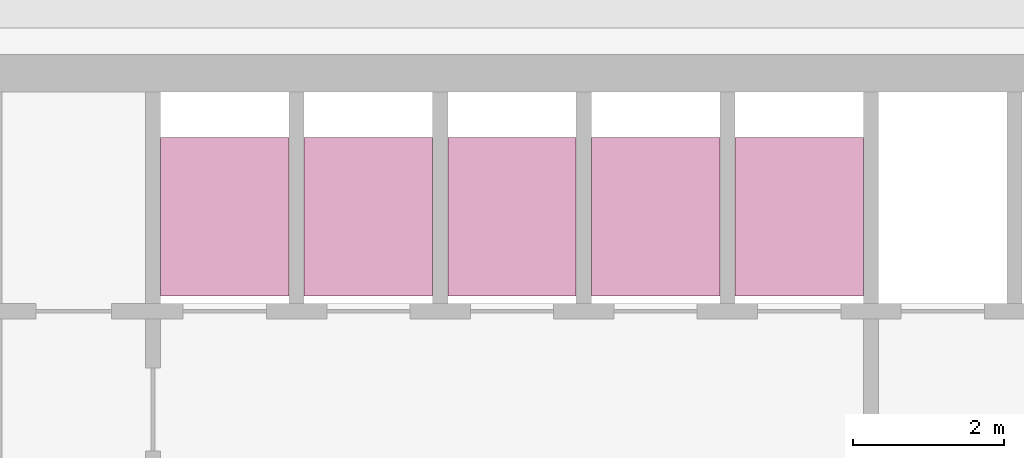
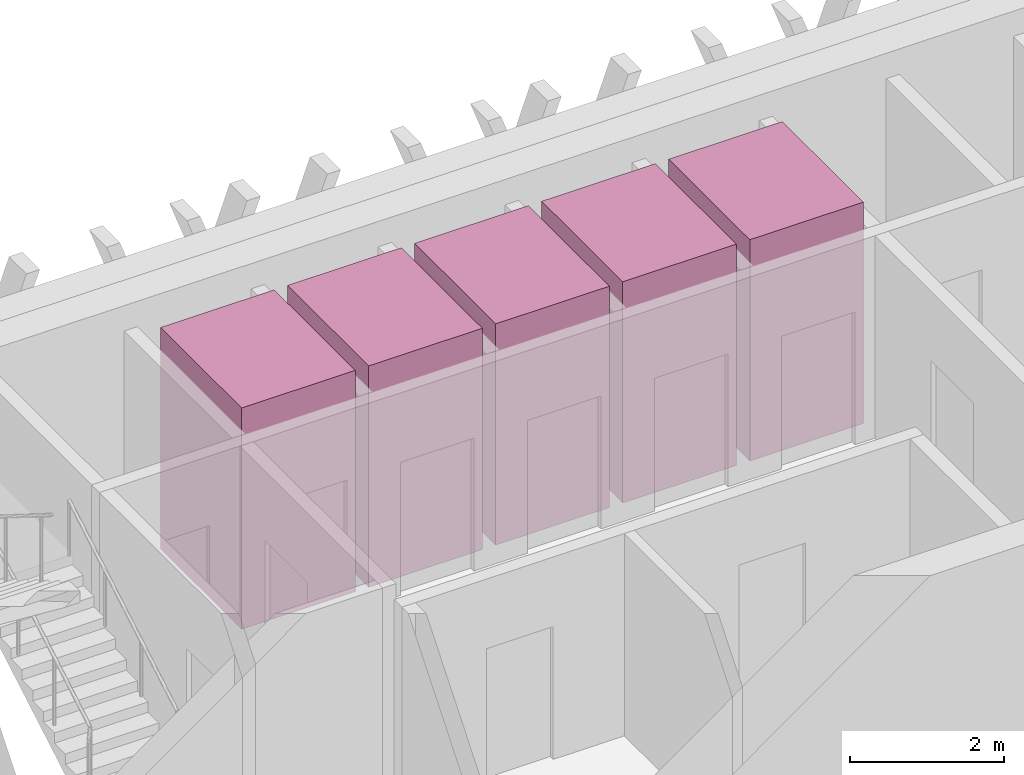
# One storey, part 12 of 12: 5 transport elements.
"""IFC4 building model written with IfcOpenShell, lengths in metres."""

from ifc_helpers import new_model, si_unit, direction, frame, origin, origin_2d, place, context, subcontext, project, spatial, rectangle, extrude, material, type_object, element, save


model = new_model("IFC4")

# Units and contexts
model_context = context("Model", 3, precision=1e-05, world=origin(), true_north=direction((0.0, 1.0)))
body_context = subcontext(model_context, "Body", "Model", "MODEL_VIEW")
ifc_project = project(units=[si_unit("LENGTHUNIT", "METRE"), si_unit("AREAUNIT", "SQUARE_METRE"), si_unit("VOLUMEUNIT", "CUBIC_METRE"), si_unit("PLANEANGLEUNIT", "RADIAN"), si_unit("MASSUNIT", "GRAM", prefix="KILO")], contexts=[model_context])

# Site, building, storey
site_placement = place(None, origin())
site = spatial("IfcSite", under=ifc_project, at=site_placement, CompositionType="ELEMENT")
building_placement = place(site_placement, origin())
building = spatial("IfcBuilding", under=site, at=building_placement, Name="Altiplano Prism Tower", CompositionType="ELEMENT")
storey_placement = place(building_placement, frame((0.0, 0.0, 316.60009765625)))
storey = spatial("IfcBuildingStorey", under=building, at=storey_placement, Name="L82", CompositionType="ELEMENT", Elevation=316.60009765625)

# Transport elements
ifc_material = material(Name="Stainless steel lift car", Category="steel")
transport_element_type = type_object("IfcTransportElementType", Name="Passenger lift car 1600 x 2100", PredefinedType="ELEVATOR", material=ifc_material)
for number, where, z_axis, x_axis, name in (
    (1, (79.050048828125, 101.75, 0.0498046875), (0.0, 0.0, 1.0), (1.0, 0.0, 0.0), "High Zone Passenger Lift 1"),
    (2, (80.949951171875, 101.75, 0.0498046875), (0.0, 0.0, 1.0), (1.0, 0.0, 0.0), "High Zone Passenger Lift 2"),
    (3, (82.85009765625, 101.75, 0.0498046875), (0.0, 0.0, 1.0), (1.0, 0.0, 0.0), "High Zone Passenger Lift 3"),
    (4, (84.75, 101.75, 0.0498046875), (0.0, 0.0, 1.0), (1.0, 0.0, 0.0), "High Zone Passenger Lift 4"),
    (5, (86.64990234375, 101.75, 0.0498046875), (0.0, 0.0, 1.0), (1.0, 0.0, 0.0), "High Zone Passenger Lift 5"),
):
    element("IfcTransportElement", number, at=place(storey_placement, frame(where, z_axis=z_axis, x_axis=x_axis)), inside=storey, type_object=transport_element_type, Name=name, PredefinedType="ELEVATOR", context=body_context, shape_type="SweptSolid", body=[
        extrude(rectangle(XDim=1.699951171875, YDim=2.10009765625, at=origin_2d()), origin(), (0.0, 0.0, 1.0), 3.5),
    ])

save(model, "model.ifc")
